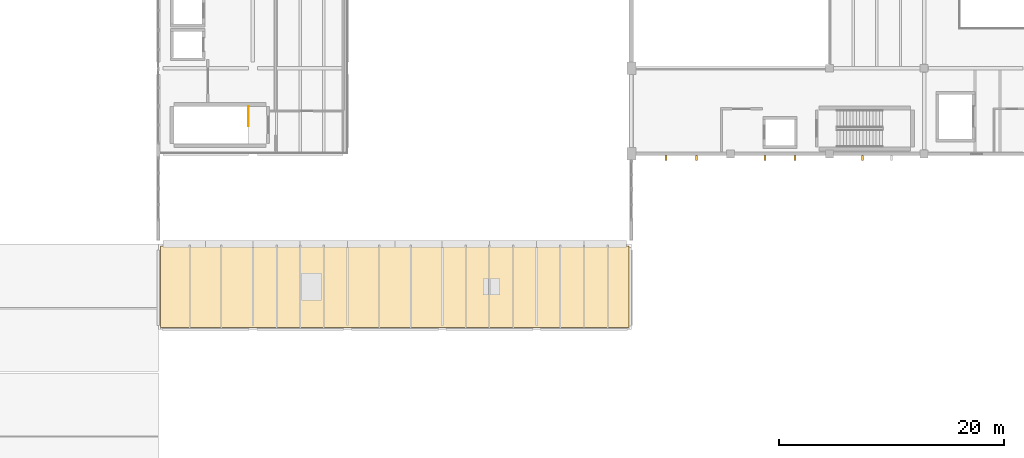
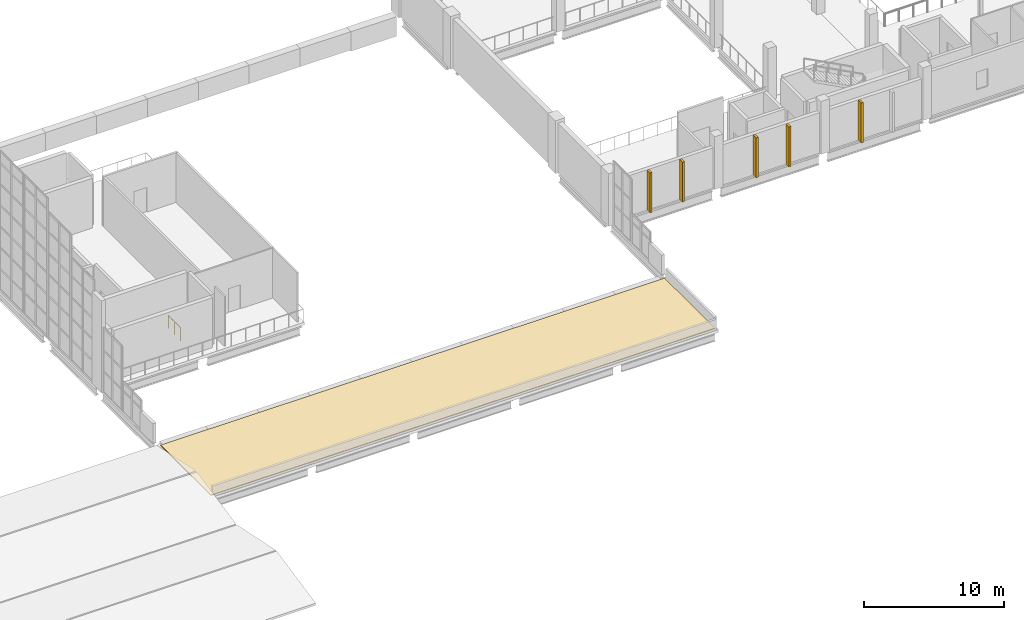
# One storey, part 33 of 37: 5 shading devices, 1 covering, 1 railing.
"""IFC4 building model written with IfcOpenShell, lengths in metres."""

import ifcopenshell
import ifcopenshell.guid

model = None  # the IFC model being written
_history = None  # IfcOwnerHistory: only IFC2X3 demands one
_inside = {}  # id of a spatial element -> (the spatial element, [elements in it])
_under = {}  # id of a project, library or spatial element -> (it, [spatial elements below it])
_declared = {}  # id of a project -> (the project, [libraries it declares])
_typed = {}  # id of a type object -> (the type object, [elements of that type])
_made_of = {}  # id of a material, layer set ... -> (it, [elements and type objects made of it])


def new_model(schema):
    """Start an empty IFC model of exactly this schema.

    Asked for "IFC4X3", IfcOpenShell would pick the latest addendum, in which some entities
    have other attributes; the version numbers below select the first issue.
    IFC2X3 requires an IfcOwnerHistory on every rooted entity: one is made here for all.
    """
    global model, _history
    if schema == "IFC4X3":
        model = ifcopenshell.file(schema_version=(4, 3, 0, 0))
    else:
        model = ifcopenshell.file(schema=schema)
    _inside.clear()
    _under.clear()
    _declared.clear()
    _typed.clear()
    _made_of.clear()
    _history = None
    if model.schema == "IFC2X3":
        org = make("IfcOrganization", Name="unknown")
        user = make(
            "IfcPersonAndOrganization",
            ThePerson=make("IfcPerson", FamilyName="unknown"),
            TheOrganization=org,
        )
        app = make(
            "IfcApplication",
            ApplicationDeveloper=org,
            Version="unknown",
            ApplicationFullName="unknown",
            ApplicationIdentifier="unknown",
        )
        _history = make(
            "IfcOwnerHistory",
            OwningUser=user,
            OwningApplication=app,
            ChangeAction="ADDED",
            CreationDate=0,
        )
    return model


def make(cls, **values):
    """One entity of the class cls with the attributes given. An attribute that is None is left unset."""
    return model.create_entity(
        cls, **{name: value for name, value in values.items() if value is not None}
    )


def rooted(cls, **values):
    """An entity with a GlobalId (a new one), such as an element, a storey or a relation."""
    return make(cls, GlobalId=ifcopenshell.guid.new(), OwnerHistory=_history, **values)


def si_unit(unit_type, name, prefix=None):
    """IfcSIUnit, for example si_unit("LENGTHUNIT", "METRE", prefix="MILLI")."""
    return make("IfcSIUnit", UnitType=unit_type, Prefix=prefix, Name=name)


def assignment(units):
    """IfcUnitAssignment: the units of a project."""
    return None if units is None else make("IfcUnitAssignment", Units=units)


def point(xyz):
    """IfcCartesianPoint."""
    return None if xyz is None else make("IfcCartesianPoint", Coordinates=xyz)


def direction(xyz):
    """IfcDirection."""
    return None if xyz is None else make("IfcDirection", DirectionRatios=xyz)


def frame(location, z_axis=None, x_axis=None):
    """IfcAxis2Placement3D, a coordinate frame: its origin and axes. An axis left out is left unset."""
    return make(
        "IfcAxis2Placement3D",
        Location=point(location),
        Axis=direction(z_axis),
        RefDirection=direction(x_axis),
    )


def frame_2d(location, x_axis=None):
    """IfcAxis2Placement2D, a coordinate frame in the plane: its origin and x axis."""
    return make(
        "IfcAxis2Placement2D", Location=point(location), RefDirection=direction(x_axis)
    )


def origin():
    """The frame at (0, 0, 0) with its axes left unset."""
    return frame((0.0, 0.0, 0.0))


def origin_2d():
    """The frame at (0, 0) in the plane with its x axis left unset."""
    return frame_2d((0.0, 0.0))


def place(relative_to, where):
    """IfcLocalPlacement: puts the frame where relative to a parent placement (None: the world)."""
    return make(
        "IfcLocalPlacement", PlacementRelTo=relative_to, RelativePlacement=where
    )


def context(
    kind, dimensions, precision=None, world=None, true_north=None, identifier=None
):
    """IfcGeometricRepresentationContext, for example the 3D "Model" context."""
    return make(
        "IfcGeometricRepresentationContext",
        ContextIdentifier=identifier,
        ContextType=kind,
        CoordinateSpaceDimension=dimensions,
        Precision=precision,
        WorldCoordinateSystem=world,
        TrueNorth=true_north,
    )


def subcontext(parent, identifier, kind, view, scale=None):
    """IfcGeometricRepresentationSubContext, for example "Body" below "Model"."""
    return make(
        "IfcGeometricRepresentationSubContext",
        ContextIdentifier=identifier,
        ContextType=kind,
        ParentContext=parent,
        TargetScale=scale,
        TargetView=view,
    )


def project(units=None, contexts=None):
    """IfcProject with its units and contexts."""
    return rooted(
        "IfcProject",
        Name="project",
        RepresentationContexts=contexts,
        UnitsInContext=assignment(units),
    )


def spatial(cls, under=None, at=None, **own):
    """A site, building, storey or space (cls), placed at a placement, below another one or the project."""
    s = rooted(cls, ObjectPlacement=at, **own)
    if under is not None:
        _under.setdefault(under.id(), (under, []))[1].append(s)
    return s


def polyline(points):
    """IfcPolyline through the points."""
    return make("IfcPolyline", Points=[point(p) for p in points])


def profile(cls, at=None, kind="AREA", **sizes):
    """A parametric profile (cls). Its sizes go by their IFC names, for example OverallWidth=200.0."""
    return make(cls, ProfileType=kind, Position=at, **sizes)


def rectangle(**sizes):
    """IfcRectangleProfileDef."""
    return profile("IfcRectangleProfileDef", **sizes)


def circle(**sizes):
    """IfcCircleProfileDef."""
    return profile("IfcCircleProfileDef", **sizes)


def outline(outer, holes=None, kind="AREA"):
    """IfcArbitraryClosedProfileDef: a profile drawn as a closed curve; with holes, ...WithVoids."""
    if holes is None:
        return make("IfcArbitraryClosedProfileDef", ProfileType=kind, OuterCurve=outer)
    return make(
        "IfcArbitraryProfileDefWithVoids",
        ProfileType=kind,
        OuterCurve=outer,
        InnerCurves=holes,
    )


def extrude(swept, where, along, depth):
    """IfcExtrudedAreaSolid: the profile swept, set in the frame where, extruded along a direction by depth."""
    return make(
        "IfcExtrudedAreaSolid",
        SweptArea=swept,
        Position=where,
        ExtrudedDirection=direction(along),
        Depth=depth,
    )


def shape(context_of_items, identifier, shape_type, items):
    """IfcShapeRepresentation: the items that make up one representation, for example the "Body"."""
    return make(
        "IfcShapeRepresentation",
        ContextOfItems=context_of_items,
        RepresentationIdentifier=identifier,
        RepresentationType=shape_type,
        Items=items,
    )


def material(Name=None, Category=None):
    """IfcMaterial."""
    return make("IfcMaterial", Name=Name, Category=Category)


def layer(
    of_material, thickness, ventilated=None, Name=None, Category=None, Priority=None
):
    """IfcMaterialLayer: one layer of a wall or slab, of a material (None: an air gap)."""
    return make(
        "IfcMaterialLayer",
        Material=of_material,
        LayerThickness=thickness,
        IsVentilated=ventilated,
        Name=Name,
        Category=Category,
        Priority=Priority,
    )


def layer_set(layers, Name=None):
    """IfcMaterialLayerSet."""
    return make("IfcMaterialLayerSet", MaterialLayers=layers, LayerSetName=Name)


def made_of(thing, what):
    """Note that an element or type object is made of a material, layer set ...; save() writes the relation."""
    if what is not None:
        _made_of.setdefault(what.id(), (what, []))[1].append(thing)
    return thing


def type_object(cls, material=None, **own):
    """A type object (cls), such as IfcWallType, which elements share."""
    return made_of(rooted(cls, **own), material)


def element(
    cls,
    number,
    at=None,
    inside=None,
    cuts=None,
    type_object=None,
    material=None,
    context=None,
    identifier="Body",
    shape_type=None,
    held_by="IfcProductDefinitionShape",
    body=None,
    shapes=None,
    **own,
):
    """One element of the class cls, such as IfcWall. Its Tag is "e" and its number.

    at: its placement. inside: the storey or other place that contains it. cuts: it is an
    opening in that element (IfcRelVoidsElement). A single representation is given by context,
    identifier, shape_type and body (its items); several are given by shapes. held_by: the class
    of the entity that holds the representations. save() writes the other relations.
    """
    e = rooted(cls, Tag="e%d" % number, ObjectPlacement=at, **own)
    if body is not None:
        shapes = [shape(context, identifier, shape_type, body)]
    if shapes is not None:
        e.Representation = make(held_by, Representations=shapes)
    if inside is not None:
        _inside.setdefault(inside.id(), (inside, []))[1].append(e)
    if cuts is not None:
        rooted(
            "IfcRelVoidsElement", RelatingBuildingElement=cuts, RelatedOpeningElement=e
        )
    if type_object is not None:
        _typed.setdefault(type_object.id(), (type_object, []))[1].append(e)
    return made_of(e, material)


def aggregate(whole, parts):
    """IfcRelAggregates: a whole, such as a stair, and the parts it consists of."""
    return rooted("IfcRelAggregates", RelatingObject=whole, RelatedObjects=parts)


def save(model, path):
    """Write the relations noted so far, then the file.

    IfcRelAggregates (storeys below a building ...), IfcRelContainedInSpatialStructure (elements
    in a storey), IfcRelDefinesByType, IfcRelAssociatesMaterial and IfcRelDeclares: one each for
    every whole, place, type object, material and project.
    """
    for whole, parts in _under.values():
        aggregate(whole, parts)
    for where, things in _inside.values():
        rooted(
            "IfcRelContainedInSpatialStructure",
            RelatedElements=things,
            RelatingStructure=where,
        )
    for kind, things in _typed.values():
        rooted("IfcRelDefinesByType", RelatedObjects=things, RelatingType=kind)
    for what, things in _made_of.values():
        rooted("IfcRelAssociatesMaterial", RelatedObjects=things, RelatingMaterial=what)
    for by, libraries in _declared.values():
        rooted("IfcRelDeclares", RelatingContext=by, RelatedDefinitions=libraries)
    model.write(path)


model = new_model("IFC4")

# Units and contexts
model_context = context("Model", 3, precision=1e-05, world=origin(), true_north=direction((0.0, 1.0)))
body_context = subcontext(model_context, "Body", "Model", "MODEL_VIEW")
ifc_project = project(units=[si_unit("LENGTHUNIT", "METRE"), si_unit("AREAUNIT", "SQUARE_METRE"), si_unit("VOLUMEUNIT", "CUBIC_METRE"), si_unit("PLANEANGLEUNIT", "RADIAN"), si_unit("MASSUNIT", "GRAM", prefix="KILO")], contexts=[model_context])

# Site, building, storey
site_placement = place(None, origin())
site = spatial("IfcSite", under=ifc_project, at=site_placement, CompositionType="ELEMENT")
building_placement = place(site_placement, origin())
building = spatial("IfcBuilding", under=site, at=building_placement, Name="Shengluoqiao Park Theatre", CompositionType="ELEMENT")
storey_placement = place(building_placement, frame((0.0, 0.0, 19.199951171875)))
storey = spatial("IfcBuildingStorey", under=building, at=storey_placement, Name="L04", CompositionType="ELEMENT", Elevation=19.199951171875)

# Covering
ifc_material_1 = material(Name="TPO roofing membrane")
ifc_layer_1 = layer(ifc_material_1, 0.06494140625, Name="TPO roofing membrane")
ifc_layer_set_1 = layer_set([ifc_layer_1], Name="TPO roofing membrane")
covering_type = type_object("IfcCoveringType", Name="ENV-COV-RFMEM", PredefinedType="ROOFING", material=ifc_layer_set_1)
covering_placement = place(storey_placement, origin())
element("IfcCovering", 1, at=covering_placement, inside=storey, type_object=covering_type, Name="Acoustic Roof Membrane COV-RF-PROM", PredefinedType="ROOFING", context=body_context, shape_type="SweptSolid", body=[
    extrude(outline(polyline([(44.60009765625, 68.60009765625), (86.199951171875, 68.60009765625), (86.199951171875, 75.800048828125), (44.60009765625, 75.800048828125), (44.60009765625, 68.60009765625)])), origin(), (0.0, 0.0, 1.0), 0.06494140625),
])

# Shading devices
ifc_material_2 = material(Name="Concrete C45", Category="concrete")
ifc_layer_2 = layer(ifc_material_2, 0.179931640625, Name="Concrete C45")
ifc_layer_set_2 = layer_set([ifc_layer_2], Name="Concrete C45")
shading_device_type = type_object("IfcShadingDeviceType", Name="ENV-FIN-450x180", PredefinedType="USERDEFINED", material=ifc_layer_set_2)
for number, where, z_axis, x_axis, name in (
    (2, (89.484619140625, 83.635009765625, 0.02001953125), (0.0, 0.0, 1.0), (0.0, -1.0, 0.0), "L04 Vertical Concrete Acoustic Rib 0102"),
    (3, (92.165283203125, 83.635009765625, 0.02001953125), (0.0, 0.0, 1.0), (0.0, -1.0, 0.0), "L04 Vertical Concrete Acoustic Rib 0103"),
    (4, (98.251220703125, 83.635009765625, 0.02001953125), (0.0, 0.0, 1.0), (0.0, -1.0, 0.0), "L04 Vertical Concrete Acoustic Rib 0104"),
    (5, (100.94873046875, 83.635009765625, 0.02001953125), (0.0, 0.0, 1.0), (0.0, -1.0, 0.0), "L04 Vertical Concrete Acoustic Rib 0105"),
    (6, (106.91796875, 83.635009765625, 0.02001953125), (0.0, 0.0, 1.0), (0.0, -1.0, 0.0), "L04 Vertical Concrete Acoustic Rib 0106"),
):
    element("IfcShadingDevice", number, at=place(storey_placement, frame(where, z_axis=z_axis, x_axis=x_axis)), inside=storey, type_object=shading_device_type, Name=name, ObjectType="FIN", PredefinedType="USERDEFINED", context=body_context, shape_type="SweptSolid", body=[
        extrude(rectangle(XDim=0.449951171875, YDim=0.179931640625, at=origin_2d()), origin(), (0.0, 0.0, 1.0), 3.47802734375),
    ])

# Railing
ifc_material_3 = material(Name="Painted steel", Category="steel")
railing_type = type_object("IfcRailingType", Name="INT-RL-STGRD", PredefinedType="GUARDRAIL", material=ifc_material_3)
railing_placement = place(storey_placement, frame((52.39990234375, 88.199951171875, 0.0)))
element("IfcRailing", 7, at=railing_placement, inside=storey, type_object=railing_type, Name="L04 ST-02 top well guard 1", PredefinedType="GUARDRAIL", context=body_context, shape_type="SweptSolid", body=[
    extrude(circle(Radius=0.02392578125, at=origin_2d()), frame((0.0, 0.0, 1.1259765625), z_axis=(0.0, -1.0, 0.0), x_axis=(1.0, 0.0, 0.0)), (0.0, 0.0, 1.0), 1.739990234375),
    extrude(circle(Radius=0.02099609375, at=origin_2d()), origin(), (0.0, 0.0, 1.0), 1.101806640625),
    extrude(circle(Radius=0.02099609375, at=origin_2d()), frame((0.0, -0.8701171875, 0.0)), (0.0, 0.0, 1.0), 1.101806640625),
    extrude(circle(Radius=0.02099609375, at=origin_2d()), frame((0.0, -1.739990234375, 0.0)), (0.0, 0.0, 1.0), 1.101806640625),
])

save(model, "model.ifc")
